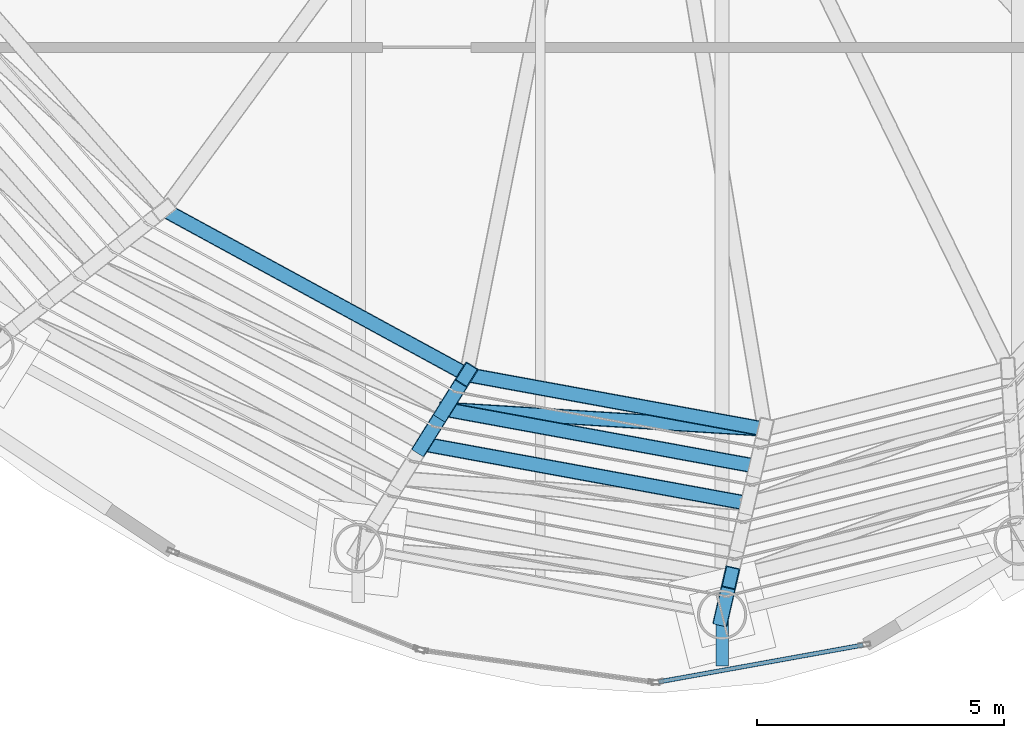
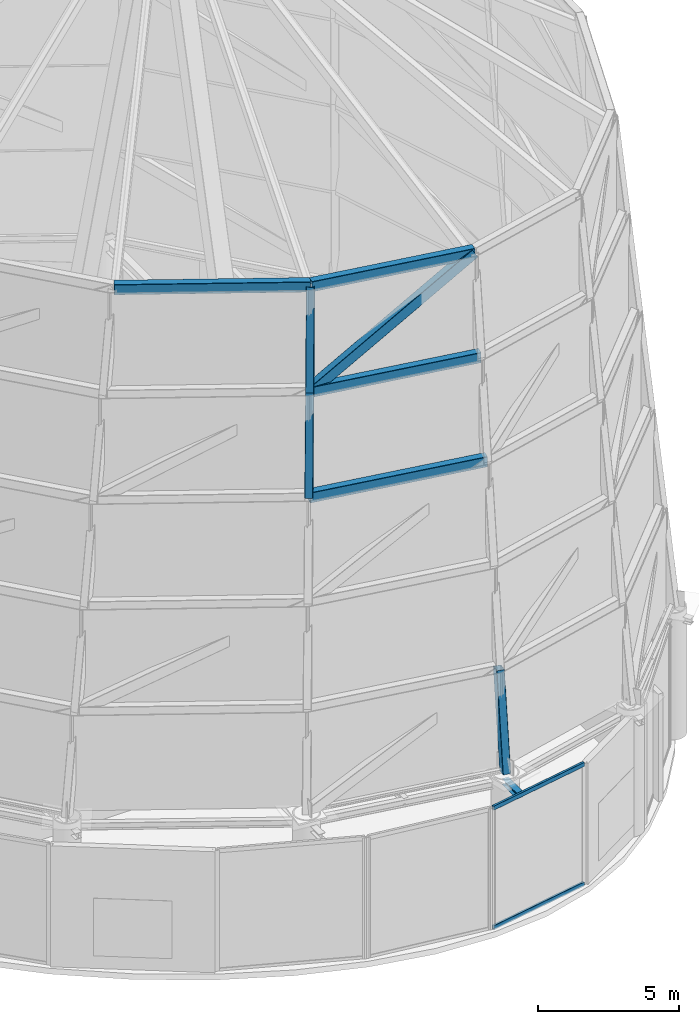
# One storey, part 8 of 40: 10 members, 1 beam, 1 element without a shape of its own.
"""IFC4 building model written with IfcOpenShell, lengths in metres."""

from ifc_helpers import new_model, si_unit, direction, frame, origin, origin_2d, place, context, subcontext, project, spatial, hollow_rectangle, i_section, extrude, material, layer, layer_set, material_profile, profile_set, type_object, element, aggregate, save


model = new_model("IFC4")

# Units and contexts
model_context = context("Model", 3, precision=1e-05, world=origin(), true_north=direction((0.0, 1.0)))
body_context = subcontext(model_context, "Body", "Model", "MODEL_VIEW")
ifc_project = project(units=[si_unit("LENGTHUNIT", "METRE"), si_unit("AREAUNIT", "SQUARE_METRE"), si_unit("VOLUMEUNIT", "CUBIC_METRE"), si_unit("PLANEANGLEUNIT", "RADIAN"), si_unit("MASSUNIT", "GRAM", prefix="KILO")], contexts=[model_context])

# Site, building, storey
site_placement = place(None, origin())
site = spatial("IfcSite", under=ifc_project, at=site_placement, CompositionType="ELEMENT")
building_placement = place(site_placement, origin())
building = spatial("IfcBuilding", under=site, at=building_placement, Name="Bramvorn Convention Spire", CompositionType="ELEMENT")
storey_placement = place(building_placement, frame((0.0, 0.0, 312.5)))
storey = spatial("IfcBuildingStorey", under=building, at=storey_placement, Name="L79", CompositionType="ELEMENT", Elevation=312.5)

# Beam
ifc_material_1 = material(Name="Steel CSA G40.21 Grade 350 (350W)", Category="steel")
ifc_material_profile_1 = material_profile(ifc_material_1, i_section(OverallWidth=0.25390625, OverallDepth=0.2529296875, WebThickness=0.008544921875, FlangeThickness=0.01416015625, FilletRadius=0.011962890625, at=origin_2d()))
ifc_profile_set_1 = profile_set([ifc_material_profile_1], Name="Steel CSA G40.21 Grade 350 (350W) - W250X73")
beam_type = type_object("IfcBeamType", Name="BM-W250X73", PredefinedType="BEAM", material=ifc_profile_set_1)
beam_placement = place(storey_placement, frame((43.1884765625, 5.09912109375, 5.12353515625), z_axis=(0.0, -1.0, 0.0), x_axis=(1.0, 0.0, 0.0)))
element("IfcBeam", 1, at=beam_placement, inside=storey, type_object=beam_type, Name="L79 slab-edge cantilever tip beam MC16", PredefinedType="BEAM", context=body_context, shape_type="SweptSolid", body=[
    extrude(i_section(OverallWidth=0.25390625, OverallDepth=0.2529296875, WebThickness=0.008544921875, FlangeThickness=0.01416015625, FilletRadius=0.011962890625, at=origin_2d()), origin(), (0.0, 0.0, 1.0), 1.04345703125),
])

# Curtain wall, members
ifc_material_2 = material(Name="Anodised Bronze Unitised Curtain Wall", Category="aluminium")
ifc_layer = layer(ifc_material_2, 0.199951171875)
ifc_layer_set = layer_set([ifc_layer], Name="Anodised Bronze Unitised Curtain Wall - CW-CROWN-SPIRE")
curtain_wall_type = type_object("IfcCurtainWallType", Name="CW-CROWN-SPIRE", PredefinedType="USERDEFINED", material=ifc_layer_set)
curtain_wall_placement = place(storey_placement, origin())
curtain_wall = element("IfcCurtainWall", 2, at=curtain_wall_placement, inside=storey, type_object=curtain_wall_type, Name="L79 fritted glass curtain wall 24", ObjectType="UNITISED CURTAIN WALL", PredefinedType="USERDEFINED")
ifc_material_3 = material(Name="Anodised Bronze Aluminium 6063-T6", Category="aluminium")
ifc_material_profile_2 = material_profile(ifc_material_3, hollow_rectangle(XDim=0.090087890625, YDim=0.179931640625, WallThickness=0.00439453125, InnerFilletRadius=0.0009765625, OuterFilletRadius=0.00439453125, at=origin_2d()))
ifc_profile_set_2 = profile_set([ifc_material_profile_2], Name="Anodised Bronze Aluminium 6063-T6 - CWT90X180")
member_type_1 = type_object("IfcMemberType", Name="CW-TRN-180", PredefinedType="USERDEFINED", material=ifc_profile_set_2)
member_1_placement = place(storey_placement, frame((46.045166015625, 4.48583984375, 0.030029296875), z_axis=(-0.984089973374, -0.177670831325, 0.0), x_axis=(0.177670831325, -0.984089973374, 0.0)))
member_1 = element("IfcMember", 3, at=member_1_placement, type_object=member_type_1, Name="CW6 transom 1.1", ObjectType="TRANSOM", PredefinedType="USERDEFINED", context=body_context, shape_type="SweptSolid", body=[
    extrude(hollow_rectangle(XDim=0.090087890625, YDim=0.179931640625, WallThickness=0.00439453125, InnerFilletRadius=0.0009765625, OuterFilletRadius=0.00439453125, at=origin_2d()), origin(), (0.0, 0.0, 1.0), 4.210205078125),
])
member_2_placement = place(storey_placement, frame((46.045166015625, 4.48583984375, 5.219970703125), z_axis=(-0.984089973374, -0.177670831325, 0.0), x_axis=(0.177670831325, -0.984089973374, 0.0)))
member_2 = element("IfcMember", 4, at=member_2_placement, type_object=member_type_1, Name="CW6 transom 1.2", ObjectType="TRANSOM", PredefinedType="USERDEFINED", context=body_context, shape_type="SweptSolid", body=[
    extrude(hollow_rectangle(XDim=0.090087890625, YDim=0.179931640625, WallThickness=0.00439453125, InnerFilletRadius=0.0009765625, OuterFilletRadius=0.00439453125, at=origin_2d()), origin(), (0.0, 0.0, 1.0), 4.210205078125),
])
aggregate(curtain_wall, [member_1, member_2])

# Members
ifc_material_profile_3 = material_profile(ifc_material_1, hollow_rectangle(XDim=0.300048828125, YDim=0.449951171875, WallThickness=0.02001953125, InnerFilletRadius=0.00390625, OuterFilletRadius=0.02392578125, at=origin_2d()))
ifc_profile_set_3 = profile_set([ifc_material_profile_3], Name="Steel CSA G40.21 Grade 350 (350W) - CROWN450X300X20")
member_type_2 = type_object("IfcMemberType", Name="MBR-CROWN450X300X20", PredefinedType="USERDEFINED", material=ifc_profile_set_3)
member_3_placement = place(storey_placement, frame((43.1884765625, 5.09912109375, 5.5), z_axis=(0.042549442833, 0.184700539172, 0.98187333997), x_axis=(-0.974476388511, 0.224490018119, 0.0)))
element("IfcMember", 5, at=member_3_placement, inside=storey, type_object=member_type_2, Name="Crown spire CROWN FRAME rib T1-16", ObjectType="CROWN FRAME", PredefinedType="USERDEFINED", context=body_context, shape_type="SweptSolid", body=[
    extrude(hollow_rectangle(XDim=0.300048828125, YDim=0.449951171875, WallThickness=0.02001953125, InnerFilletRadius=0.00390625, OuterFilletRadius=0.02392578125, at=origin_2d()), origin(), (0.0, 0.0, 1.0), 4.07373046875),
])
member_4_placement = place(storey_placement, frame((37.13134765625, 8.560791015625, 17.5), z_axis=(0.983643022877, -0.180128852619, 0.0), x_axis=(0.180128852619, 0.983643022877, 0.0)))
element("IfcMember", 6, at=member_4_placement, inside=storey, type_object=member_type_2, Name="Crown spire CROWN FRAME ring beam T3-15", ObjectType="CROWN FRAME", PredefinedType="USERDEFINED", context=body_context, shape_type="SweptSolid", body=[
    extrude(hollow_rectangle(XDim=0.300048828125, YDim=0.449951171875, WallThickness=0.02001953125, InnerFilletRadius=0.00390625, OuterFilletRadius=0.02392578125, at=origin_2d()), origin(), (0.0, 0.0, 1.0), 6.68603515625),
])
member_5_placement = place(storey_placement, frame((37.13134765625, 8.560791015625, 17.5), z_axis=(0.107396931145, 0.172241488904, 0.979182704443), x_axis=(-0.848560229552, 0.529098796844, 0.0)))
element("IfcMember", 7, at=member_5_placement, inside=storey, type_object=member_type_2, Name="Crown spire CROWN FRAME rib T4-15", ObjectType="CROWN FRAME", PredefinedType="USERDEFINED", context=body_context, shape_type="SweptSolid", body=[
    extrude(hollow_rectangle(XDim=0.300048828125, YDim=0.449951171875, WallThickness=0.02001953125, InnerFilletRadius=0.00390625, OuterFilletRadius=0.02392578125, at=origin_2d()), origin(), (0.0, 0.0, 1.0), 4.0849609375),
])
member_6_placement = place(storey_placement, frame((37.570068359375, 9.264404296875, 21.5), z_axis=(0.98364938652, -0.180094098735, 0.0), x_axis=(0.180094098735, 0.98364938652, 0.0)))
element("IfcMember", 8, at=member_6_placement, inside=storey, type_object=member_type_2, Name="Crown spire CROWN FRAME ring beam T4-15", ObjectType="CROWN FRAME", PredefinedType="USERDEFINED", context=body_context, shape_type="SweptSolid", body=[
    extrude(hollow_rectangle(XDim=0.300048828125, YDim=0.449951171875, WallThickness=0.02001953125, InnerFilletRadius=0.00390625, OuterFilletRadius=0.02392578125, at=origin_2d()), origin(), (0.0, 0.0, 1.0), 6.416259765625),
])
member_7_placement = place(storey_placement, frame((31.876708984375, 13.30908203125, 25.5), z_axis=(0.878133293346, -0.478416052321, 0.0), x_axis=(0.478416052321, 0.878133293346, 0.0)))
element("IfcMember", 9, at=member_7_placement, inside=storey, type_object=member_type_2, Name="Crown spire CROWN FRAME ring beam T5-14", ObjectType="CROWN FRAME", PredefinedType="USERDEFINED", context=body_context, shape_type="SweptSolid", body=[
    extrude(hollow_rectangle(XDim=0.300048828125, YDim=0.449951171875, WallThickness=0.02001953125, InnerFilletRadius=0.00390625, OuterFilletRadius=0.02392578125, at=origin_2d()), origin(), (0.0, 0.0, 1.0), 6.983154296875),
])
member_8_placement = place(storey_placement, frame((37.570068359375, 9.264404296875, 21.5), z_axis=(0.107395825433, 0.172299479535, 0.979172623204), x_axis=(-0.848642624295, 0.528966630544, 0.0)))
element("IfcMember", 10, at=member_8_placement, inside=storey, type_object=member_type_2, Name="Crown spire CROWN FRAME rib T5-15", ObjectType="CROWN FRAME", PredefinedType="USERDEFINED", context=body_context, shape_type="SweptSolid", body=[
    extrude(hollow_rectangle(XDim=0.300048828125, YDim=0.449951171875, WallThickness=0.02001953125, InnerFilletRadius=0.00390625, OuterFilletRadius=0.02392578125, at=origin_2d()), origin(), (0.0, 0.0, 1.0), 4.0849609375),
])
member_9_placement = place(storey_placement, frame((38.0087890625, 9.96826171875, 25.5), z_axis=(0.983649271653, -0.180094726122, 0.0), x_axis=(0.180094726122, 0.983649271653, 0.0)))
element("IfcMember", 11, at=member_9_placement, inside=storey, type_object=member_type_2, Name="Crown spire CROWN FRAME ring beam T5-15", ObjectType="CROWN FRAME", PredefinedType="USERDEFINED", context=body_context, shape_type="SweptSolid", body=[
    extrude(hollow_rectangle(XDim=0.300048828125, YDim=0.449951171875, WallThickness=0.02001953125, InnerFilletRadius=0.00390625, OuterFilletRadius=0.02392578125, at=origin_2d()), origin(), (0.0, 0.0, 1.0), 6.146484375),
])
member_10_placement = place(storey_placement, frame((37.570068359375, 9.264404296875, 21.5), z_axis=(0.849914804517, -0.052829687973, 0.52426505618), x_axis=(0.062039069105, 0.998073721678, 0.0)))
element("IfcMember", 12, at=member_10_placement, inside=storey, type_object=member_type_2, Name="Crown spire CROWN FRAME wind brace T5-15", ObjectType="CROWN FRAME", PredefinedType="USERDEFINED", context=body_context, shape_type="SweptSolid", body=[
    extrude(hollow_rectangle(XDim=0.300048828125, YDim=0.449951171875, WallThickness=0.02001953125, InnerFilletRadius=0.00390625, OuterFilletRadius=0.02392578125, at=origin_2d()), origin(), (0.0, 0.0, 1.0), 7.629638671875),
])

save(model, "model.ifc")
